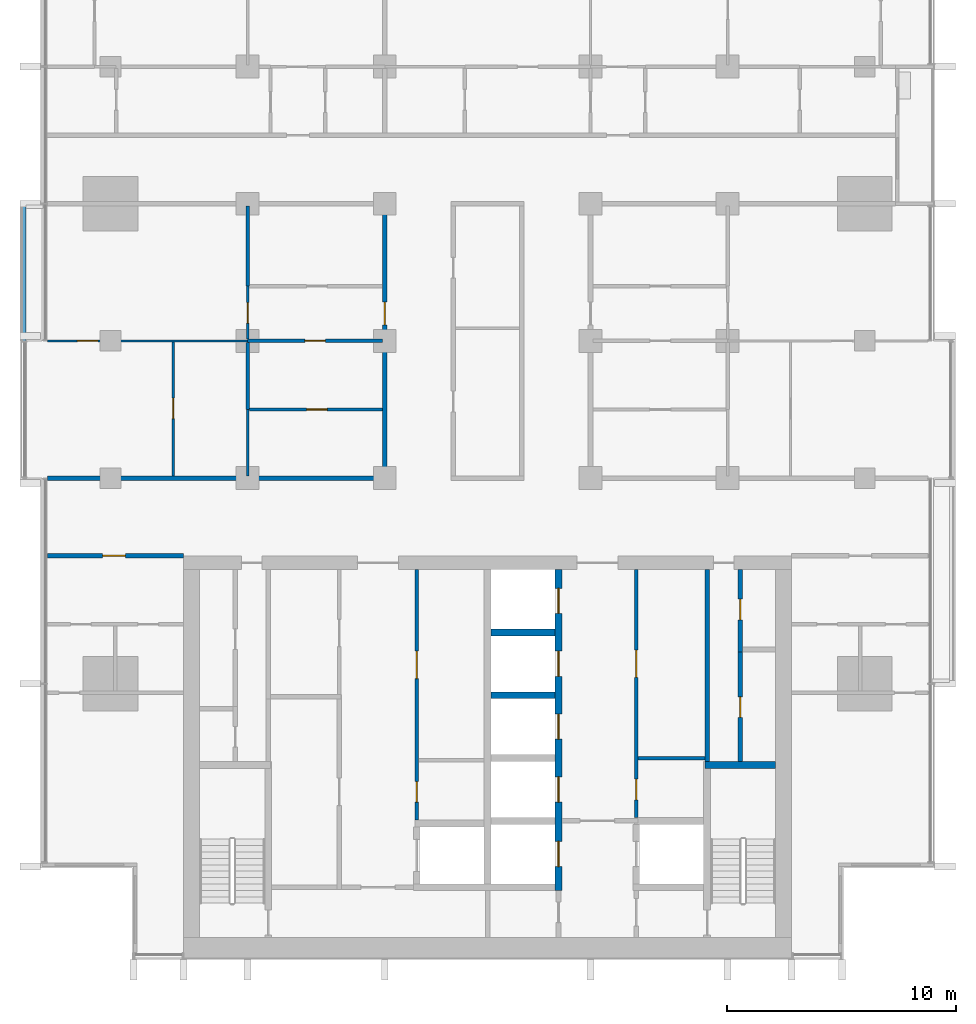
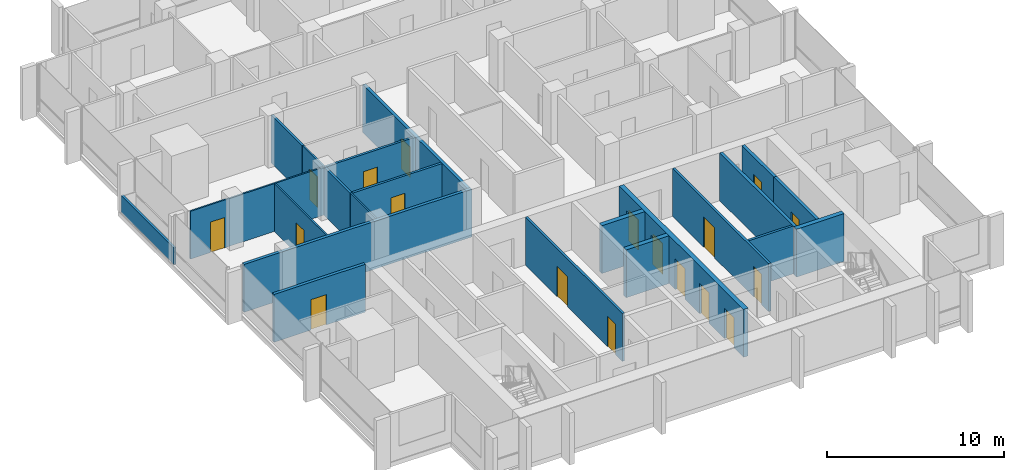
# One storey, part 8 of 17: 22 walls, 18 doors, 18 openings.
"""IFC4 building model written with IfcOpenShell, lengths in metres."""

from ifc_helpers import new_model, si_unit, direction, frame, frame_2d, origin, place, context, subcontext, project, spatial, rectangle, extrude, material, layer, layer_set, type_object, element, fill, save


model = new_model("IFC4")

# Units and contexts
model_context = context("Model", 3, precision=1e-05, world=origin(), true_north=direction((0.0, 1.0)))
body_context = subcontext(model_context, "Body", "Model", "MODEL_VIEW")
ifc_project = project(units=[si_unit("LENGTHUNIT", "METRE"), si_unit("AREAUNIT", "SQUARE_METRE"), si_unit("VOLUMEUNIT", "CUBIC_METRE"), si_unit("PLANEANGLEUNIT", "RADIAN"), si_unit("MASSUNIT", "GRAM", prefix="KILO")], contexts=[model_context])

# Site, building, storey
site_placement = place(None, origin())
site = spatial("IfcSite", under=ifc_project, at=site_placement, CompositionType="ELEMENT")
building_placement = place(site_placement, origin())
building = spatial("IfcBuilding", under=site, at=building_placement, Name="Finial Court Residences", CompositionType="ELEMENT")
storey_placement = place(building_placement, frame((0.0, 0.0, 170.89990234375)))
storey = spatial("IfcBuildingStorey", under=building, at=storey_placement, Name="L42", CompositionType="ELEMENT", Elevation=170.89990234375)

# Wall
ifc_material_1 = material(Name="Fire-rated gypsum board partition")
ifc_layer_1 = layer(ifc_material_1, 0.14990234375)
ifc_layer_set_1 = layer_set([ifc_layer_1], Name="Core room partition 150 EI 60")
wall_type_1 = type_object("IfcWallType", Name="Core room partition 150 EI 60", PredefinedType="PARTITIONING", material=ifc_layer_set_1)
wall_1_placement = place(storey_placement, frame((6.574951171875, -16.75, 0.0), z_axis=(0.0, 0.0, 1.0), x_axis=(1.0, 0.0, 0.0)))
element("IfcWall", 1, at=wall_1_placement, inside=storey, type_object=wall_type_1, Name="Core partition L42-13", PredefinedType="PARTITIONING", context=body_context, shape_type="SweptSolid", body=[
    extrude(rectangle(XDim=2.925048828125, YDim=0.14990234375, at=frame_2d((1.46240234375, 0.0))), origin(), (0.0, 0.0, 1.0), 3.300048828125),
])

# Wall, openings, doors
wall_2_placement = place(storey_placement, frame((-3.10009765625, -8.5, 0.0), z_axis=(0.0, 0.0, 1.0), x_axis=(0.0, -1.0, 0.0)))
wall_2 = element("IfcWall", 2, at=wall_2_placement, inside=storey, type_object=wall_type_1, Name="Core partition L42-27", PredefinedType="PARTITIONING", context=body_context, shape_type="SweptSolid", body=[
    extrude(rectangle(XDim=10.969970703125, YDim=0.14990234375, at=frame_2d((5.48486328125, 0.0))), origin(), (0.0, 0.0, 1.0), 3.300048828125),
])
opening_1_placement = place(wall_2_placement, frame((9.280029296875, 0.0, 0.0)))
opening_1 = element("IfcOpeningElement", 3, at=opening_1_placement, cuts=wall_2, Name="Opening L42-C15", PredefinedType="OPENING", context=body_context, shape_type="SweptSolid", body=[
    extrude(rectangle(XDim=0.89990234375, YDim=2.10009765625, at=frame_2d((0.449951171875, 1.050048828125))), frame((0.0, 0.0849609375, 0.0), z_axis=(0.0, -1.0, 0.0), x_axis=(1.0, 0.0, 0.0)), (0.0, 0.0, 1.0), 0.169921875),
])
opening_2_placement = place(wall_2_placement, frame((3.570068359375, 0.0, 0.0)))
opening_2 = element("IfcOpeningElement", 4, at=opening_2_placement, cuts=wall_2, Name="Opening L42-C16", PredefinedType="OPENING", context=body_context, shape_type="SweptSolid", body=[
    extrude(rectangle(XDim=1.199951171875, YDim=2.10009765625, at=frame_2d((0.60009765625, 1.050048828125))), frame((0.0, 0.0849609375, 0.0), z_axis=(0.0, -1.0, 0.0), x_axis=(1.0, 0.0, 0.0)), (0.0, 0.0, 1.0), 0.169921875),
])
ifc_material_2 = material(Name="Steel fire door", Category="steel")
door_type_1 = type_object("IfcDoorType", Name="Core room door 1200 x 2100 EI 60", OperationType="NOTDEFINED", PredefinedType="DOOR", material=ifc_material_2)
door_1_placement = place(opening_2_placement, origin())
door_1 = element("IfcDoor", 5, at=door_1_placement, inside=storey, type_object=door_type_1, Name="Core room door L42-C16", OperationType="SINGLE_SWING_RIGHT", OverallHeight=2.10009765625, OverallWidth=1.199951171875, PredefinedType="DOOR", context=body_context, shape_type="SweptSolid", body=[
    extrude(rectangle(XDim=1.199951171875, YDim=2.10009765625, at=frame_2d((0.60009765625, 1.050048828125))), frame((0.0, 0.02490234375, 0.0), z_axis=(0.0, -1.0, 0.0), x_axis=(1.0, 0.0, 0.0)), (0.0, 0.0, 1.0), 0.050048828125),
])
fill(opening_2, door_1)
door_type_2 = type_object("IfcDoorType", Name="Core room door 900 x 2100 EI 60", OperationType="NOTDEFINED", PredefinedType="DOOR", material=ifc_material_2)
door_2_placement = place(opening_1_placement, origin())
door_2 = element("IfcDoor", 6, at=door_2_placement, inside=storey, type_object=door_type_2, Name="Core room door L42-C15", OperationType="SINGLE_SWING_RIGHT", OverallHeight=2.10009765625, OverallWidth=0.89990234375, PredefinedType="DOOR", context=body_context, shape_type="SweptSolid", body=[
    extrude(rectangle(XDim=0.89990234375, YDim=2.10009765625, at=frame_2d((0.449951171875, 1.050048828125))), frame((0.0, 0.02490234375, 0.0), z_axis=(0.0, -1.0, 0.0), x_axis=(1.0, 0.0, 0.0)), (0.0, 0.0, 1.0), 0.050048828125),
])
fill(opening_1, door_2)

wall_3_placement = place(storey_placement, frame((6.5, -8.5, 0.0), z_axis=(0.0, 0.0, 1.0), x_axis=(0.0, -1.0, 0.0)))
wall_3 = element("IfcWall", 7, at=wall_3_placement, inside=storey, type_object=wall_type_1, Name="Core partition L42-34", PredefinedType="PARTITIONING", context=body_context, shape_type="SweptSolid", body=[
    extrude(rectangle(XDim=10.85009765625, YDim=0.14990234375, at=frame_2d((5.425048828125, 0.0))), origin(), (0.0, 0.0, 1.0), 3.300048828125),
])
opening_3_placement = place(wall_3_placement, frame((9.175048828125, 0.0, 0.0)))
opening_3 = element("IfcOpeningElement", 8, at=opening_3_placement, cuts=wall_3, Name="Opening L42-C17", PredefinedType="OPENING", context=body_context, shape_type="SweptSolid", body=[
    extrude(rectangle(XDim=0.89990234375, YDim=2.10009765625, at=frame_2d((0.449951171875, 1.050048828125))), frame((0.0, 0.0849609375, 0.0), z_axis=(0.0, -1.0, 0.0), x_axis=(1.0, 0.0, 0.0)), (0.0, 0.0, 1.0), 0.169921875),
])
opening_4_placement = place(wall_3_placement, frame((3.52490234375, 0.0, 0.0)))
opening_4 = element("IfcOpeningElement", 9, at=opening_4_placement, cuts=wall_3, Name="Opening L42-C18", PredefinedType="OPENING", context=body_context, shape_type="SweptSolid", body=[
    extrude(rectangle(XDim=1.199951171875, YDim=2.10009765625, at=frame_2d((0.60009765625, 1.050048828125))), frame((0.0, 0.0849609375, 0.0), z_axis=(0.0, -1.0, 0.0), x_axis=(1.0, 0.0, 0.0)), (0.0, 0.0, 1.0), 0.169921875),
])
door_3_placement = place(opening_4_placement, origin())
door_3 = element("IfcDoor", 10, at=door_3_placement, inside=storey, type_object=door_type_1, Name="Core room door L42-C18", OperationType="SINGLE_SWING_RIGHT", OverallHeight=2.10009765625, OverallWidth=1.199951171875, PredefinedType="DOOR", context=body_context, shape_type="SweptSolid", body=[
    extrude(rectangle(XDim=1.199951171875, YDim=2.10009765625, at=frame_2d((0.60009765625, 1.050048828125))), frame((0.0, 0.02490234375, 0.0), z_axis=(0.0, -1.0, 0.0), x_axis=(1.0, 0.0, 0.0)), (0.0, 0.0, 1.0), 0.050048828125),
])
fill(opening_4, door_3)
door_4_placement = place(opening_3_placement, origin())
door_4 = element("IfcDoor", 11, at=door_4_placement, inside=storey, type_object=door_type_2, Name="Core room door L42-C17", OperationType="SINGLE_SWING_RIGHT", OverallHeight=2.10009765625, OverallWidth=0.89990234375, PredefinedType="DOOR", context=body_context, shape_type="SweptSolid", body=[
    extrude(rectangle(XDim=0.89990234375, YDim=2.10009765625, at=frame_2d((0.449951171875, 1.050048828125))), frame((0.0, 0.02490234375, 0.0), z_axis=(0.0, -1.0, 0.0), x_axis=(1.0, 0.0, 0.0)), (0.0, 0.0, 1.0), 0.050048828125),
])
fill(opening_3, door_4)

# Wall, opening, door
ifc_material_3 = material(Name="Gypsum board")
ifc_layer_2 = layer(ifc_material_3, 0.02490234375)
ifc_material_4 = material(Name="Acoustic mineral wool in double frame")
ifc_layer_3 = layer(ifc_material_4, 0.14990234375)
ifc_layer_4 = layer(ifc_material_3, 0.02490234375)
ifc_layer_set_2 = layer_set([ifc_layer_2, ifc_layer_3, ifc_layer_4], Name="Corridor wall 200, 1 hour")
wall_type_2 = type_object("IfcWallType", Name="Corridor wall 200, 1 hour", PredefinedType="PARTITIONING", material=ifc_layer_set_2)
wall_4_placement = place(storey_placement, frame((-19.262451171875, -7.89990234375, 0.0), z_axis=(0.0, 0.0, 1.0), x_axis=(1.0, 0.0, 0.0)))
wall_4 = element("IfcWall", 12, at=wall_4_placement, inside=storey, type_object=wall_type_2, Name="Partition L42-004", PredefinedType="PARTITIONING", context=body_context, shape_type="SweptSolid", body=[
    extrude(rectangle(XDim=5.96240234375, YDim=0.199951171875, at=frame_2d((2.981201171875, 0.0))), origin(), (0.0, 0.0, 1.0), 3.300048828125),
])
opening_5_placement = place(wall_4_placement, frame((2.412109375, 0.0, 0.0)))
opening_5 = element("IfcOpeningElement", 13, at=opening_5_placement, cuts=wall_4, Name="Opening L42-D007", PredefinedType="OPENING", context=body_context, shape_type="SweptSolid", body=[
    extrude(rectangle(XDim=1.0, YDim=2.10009765625, at=frame_2d((0.5, 1.050048828125))), frame((0.0, 0.10986328125, 0.0), z_axis=(0.0, -1.0, 0.0), x_axis=(1.0, 0.0, 0.0)), (0.0, 0.0, 1.0), 0.219970703125),
])
ifc_material_5 = material(Name="Timber door leaf in hollow metal frame", Category="wood")
door_type_3 = type_object("IfcDoorType", Name="Fire door set 1000 x 2100, 30 minutes", OperationType="SINGLE_SWING_LEFT", PredefinedType="DOOR", material=ifc_material_5)
door_5_placement = place(opening_5_placement, origin())
door_5 = element("IfcDoor", 14, at=door_5_placement, inside=storey, type_object=door_type_3, Name="Door L42-D007", OperationType="SINGLE_SWING_RIGHT", OverallHeight=2.10009765625, OverallWidth=1.0, PredefinedType="DOOR", context=body_context, shape_type="SweptSolid", body=[
    extrude(rectangle(XDim=1.0, YDim=2.10009765625, at=frame_2d((0.5, 1.050048828125))), frame((0.0, 0.02490234375, 0.0), z_axis=(0.0, -1.0, 0.0), x_axis=(1.0, 0.0, 0.0)), (0.0, 0.0, 1.0), 0.050048828125),
])
fill(opening_5, door_5)

# Wall
wall_5_placement = place(storey_placement, frame((-19.262451171875, -4.5, 0.0), z_axis=(0.0, 0.0, 1.0), x_axis=(1.0, 0.0, 0.0)))
element("IfcWall", 15, at=wall_5_placement, inside=storey, type_object=wall_type_2, Name="Partition L42-006", PredefinedType="PARTITIONING", context=body_context, shape_type="SweptSolid", body=[
    extrude(rectangle(XDim=14.862548828125, YDim=0.199951171875, at=frame_2d((7.43115234375, 0.0))), origin(), (0.0, 0.0, 1.0), 3.300048828125),
])

# Wall, opening, door
wall_6_placement = place(storey_placement, frame((-4.5, -4.39990234375, 0.0), z_axis=(0.0, 0.0, 1.0), x_axis=(0.0, 1.0, 0.0)))
wall_6 = element("IfcWall", 16, at=wall_6_placement, inside=storey, type_object=wall_type_2, Name="Partition L42-047", PredefinedType="PARTITIONING", context=body_context, shape_type="SweptSolid", body=[
    extrude(rectangle(XDim=11.7998046875, YDim=0.199951171875, at=frame_2d((5.89990234375, 0.0))), origin(), (0.0, 0.0, 1.0), 3.300048828125),
])
opening_6_placement = place(wall_6_placement, frame((6.60009765625, 0.0, 0.0)))
opening_6 = element("IfcOpeningElement", 17, at=opening_6_placement, cuts=wall_6, Name="Opening L42-D032", PredefinedType="OPENING", context=body_context, shape_type="SweptSolid", body=[
    extrude(rectangle(XDim=1.0, YDim=2.10009765625, at=frame_2d((0.5, 1.050048828125))), frame((0.0, 0.10986328125, 0.0), z_axis=(0.0, -1.0, 0.0), x_axis=(1.0, 0.0, 0.0)), (0.0, 0.0, 1.0), 0.219970703125),
])
door_6_placement = place(opening_6_placement, origin())
door_6 = element("IfcDoor", 18, at=door_6_placement, inside=storey, type_object=door_type_3, Name="Door L42-D032", OperationType="SINGLE_SWING_LEFT", OverallHeight=2.10009765625, OverallWidth=1.0, PredefinedType="DOOR", context=body_context, shape_type="SweptSolid", body=[
    extrude(rectangle(XDim=1.0, YDim=2.10009765625, at=frame_2d((0.5, 1.050048828125))), frame((0.0, 0.02490234375, 0.0), z_axis=(0.0, -1.0, 0.0), x_axis=(1.0, 0.0, 0.0)), (0.0, 0.0, 1.0), 0.050048828125),
])
fill(opening_6, door_6)

ifc_layer_5 = layer(ifc_material_3, 0.012451171875)
ifc_material_6 = material(Name="Mineral wool in light-gauge frame")
ifc_layer_6 = layer(ifc_material_6, 0.074951171875)
ifc_layer_7 = layer(ifc_material_3, 0.012451171875)
ifc_layer_set_3 = layer_set([ifc_layer_5, ifc_layer_6, ifc_layer_7], Name="Gypsum board partition 100")
wall_type_3 = type_object("IfcWallType", Name="Gypsum board partition 100", PredefinedType="PARTITIONING", material=ifc_layer_set_3)
wall_7_placement = place(storey_placement, frame((-19.262451171875, 1.5, 0.0), z_axis=(0.0, 0.0, 1.0), x_axis=(1.0, 0.0, 0.0)))
wall_7 = element("IfcWall", 19, at=wall_7_placement, inside=storey, type_object=wall_type_3, Name="Partition L42-011", PredefinedType="PARTITIONING", context=body_context, shape_type="SweptSolid", body=[
    extrude(rectangle(XDim=8.762451171875, YDim=0.10009765625, at=frame_2d((4.38134765625, 0.0))), origin(), (0.0, 0.0, 1.0), 3.300048828125),
])
opening_7_placement = place(wall_7_placement, frame((1.31201171875, 0.0, 0.0)))
opening_7 = element("IfcOpeningElement", 20, at=opening_7_placement, cuts=wall_7, Name="Opening L42-D011", PredefinedType="OPENING", context=body_context, shape_type="SweptSolid", body=[
    extrude(rectangle(XDim=0.89990234375, YDim=2.10009765625, at=frame_2d((0.449951171875, 1.050048828125))), frame((0.0, 0.06005859375, 0.0), z_axis=(0.0, -1.0, 0.0), x_axis=(1.0, 0.0, 0.0)), (0.0, 0.0, 1.0), 0.1201171875),
])
ifc_material_7 = material(Name="Timber door leaf in timber frame", Category="wood")
door_type_4 = type_object("IfcDoorType", Name="Door set 900 x 2100", OperationType="SINGLE_SWING_LEFT", PredefinedType="DOOR", material=ifc_material_7)
door_7_placement = place(opening_7_placement, origin())
door_7 = element("IfcDoor", 21, at=door_7_placement, inside=storey, type_object=door_type_4, Name="Door L42-D011", OperationType="SINGLE_SWING_LEFT", OverallHeight=2.10009765625, OverallWidth=0.89990234375, PredefinedType="DOOR", context=body_context, shape_type="SweptSolid", body=[
    extrude(rectangle(XDim=0.89990234375, YDim=2.10009765625, at=frame_2d((0.449951171875, 1.050048828125))), frame((0.0, 0.02490234375, 0.0), z_axis=(0.0, -1.0, 0.0), x_axis=(1.0, 0.0, 0.0)), (0.0, 0.0, 1.0), 0.050048828125),
])
fill(opening_7, door_7)

wall_8_placement = place(storey_placement, frame((-13.75, -4.39990234375, 0.0), z_axis=(0.0, 0.0, 1.0), x_axis=(0.0, 1.0, 0.0)))
wall_8 = element("IfcWall", 22, at=wall_8_placement, inside=storey, type_object=wall_type_3, Name="Partition L42-039", PredefinedType="PARTITIONING", context=body_context, shape_type="SweptSolid", body=[
    extrude(rectangle(XDim=5.849853515625, YDim=0.10009765625, at=frame_2d((2.9248046875, 0.0))), origin(), (0.0, 0.0, 1.0), 3.300048828125),
])
opening_8_placement = place(wall_8_placement, frame((2.5, 0.0, 0.0)))
opening_8 = element("IfcOpeningElement", 23, at=opening_8_placement, cuts=wall_8, Name="Opening L42-D027", PredefinedType="OPENING", context=body_context, shape_type="SweptSolid", body=[
    extrude(rectangle(XDim=0.89990234375, YDim=2.10009765625, at=frame_2d((0.449951171875, 1.050048828125))), frame((0.0, 0.06005859375, 0.0), z_axis=(0.0, -1.0, 0.0), x_axis=(1.0, 0.0, 0.0)), (0.0, 0.0, 1.0), 0.1201171875),
])
door_8_placement = place(opening_8_placement, origin())
door_8 = element("IfcDoor", 24, at=door_8_placement, inside=storey, type_object=door_type_4, Name="Door L42-D027", OperationType="SINGLE_SWING_LEFT", OverallHeight=2.10009765625, OverallWidth=0.89990234375, PredefinedType="DOOR", context=body_context, shape_type="SweptSolid", body=[
    extrude(rectangle(XDim=0.89990234375, YDim=2.10009765625, at=frame_2d((0.449951171875, 1.050048828125))), frame((0.0, 0.02490234375, 0.0), z_axis=(0.0, -1.0, 0.0), x_axis=(1.0, 0.0, 0.0)), (0.0, 0.0, 1.0), 0.050048828125),
])
fill(opening_8, door_8)

# Wall
wall_9_placement = place(storey_placement, frame((-10.5, -4.39990234375, 0.0), z_axis=(0.0, 0.0, 1.0), x_axis=(0.0, 1.0, 0.0)))
element("IfcWall", 25, at=wall_9_placement, inside=storey, type_object=wall_type_3, Name="Partition L42-040", PredefinedType="PARTITIONING", context=body_context, shape_type="SweptSolid", body=[
    extrude(rectangle(XDim=2.89990234375, YDim=0.10009765625, at=frame_2d((1.449951171875, 0.0))), origin(), (0.0, 0.0, 1.0), 3.300048828125),
])

# Wall, opening, door
wall_10_placement = place(storey_placement, frame((-10.5, 1.574951171875, 0.0), z_axis=(0.0, 0.0, 1.0), x_axis=(0.0, 1.0, 0.0)))
wall_10 = element("IfcWall", 26, at=wall_10_placement, inside=storey, type_object=wall_type_3, Name="Partition L42-041", PredefinedType="PARTITIONING", context=body_context, shape_type="SweptSolid", body=[
    extrude(rectangle(XDim=2.324951171875, YDim=0.10009765625, at=frame_2d((1.16259765625, 0.0))), origin(), (0.0, 0.0, 1.0), 3.300048828125),
])
opening_9_placement = place(wall_10_placement, frame((0.699951171875, 0.0, 0.0)))
opening_9 = element("IfcOpeningElement", 27, at=opening_9_placement, cuts=wall_10, Name="Opening L42-D028", PredefinedType="OPENING", context=body_context, shape_type="SweptSolid", body=[
    extrude(rectangle(XDim=0.89990234375, YDim=2.10009765625, at=frame_2d((0.449951171875, 1.050048828125))), frame((0.0, 0.06005859375, 0.0), z_axis=(0.0, -1.0, 0.0), x_axis=(1.0, 0.0, 0.0)), (0.0, 0.0, 1.0), 0.1201171875),
])
door_9_placement = place(opening_9_placement, origin())
door_9 = element("IfcDoor", 28, at=door_9_placement, inside=storey, type_object=door_type_4, Name="Door L42-D028", OperationType="SINGLE_SWING_LEFT", OverallHeight=2.10009765625, OverallWidth=0.89990234375, PredefinedType="DOOR", context=body_context, shape_type="SweptSolid", body=[
    extrude(rectangle(XDim=0.89990234375, YDim=2.10009765625, at=frame_2d((0.449951171875, 1.050048828125))), frame((0.0, 0.02490234375, 0.0), z_axis=(0.0, -1.0, 0.0), x_axis=(1.0, 0.0, 0.0)), (0.0, 0.0, 1.0), 0.050048828125),
])
fill(opening_9, door_9)

ifc_material_8 = material(Name="Moisture-resistant gypsum board")
ifc_layer_8 = layer(ifc_material_8, 0.012451171875)
ifc_layer_9 = layer(ifc_material_6, 0.125)
ifc_layer_10 = layer(ifc_material_8, 0.012451171875)
ifc_layer_set_4 = layer_set([ifc_layer_8, ifc_layer_9, ifc_layer_10], Name="Gypsum board wet-area partition 150")
wall_type_4 = type_object("IfcWallType", Name="Gypsum board wet-area partition 150", PredefinedType="PARTITIONING", material=ifc_layer_set_4)
wall_11_placement = place(storey_placement, frame((-10.425048828125, -1.5, 0.0), z_axis=(0.0, 0.0, 1.0), x_axis=(1.0, 0.0, 0.0)))
wall_11 = element("IfcWall", 29, at=wall_11_placement, inside=storey, type_object=wall_type_4, Name="Partition L42-009", PredefinedType="PARTITIONING", context=body_context, shape_type="SweptSolid", body=[
    extrude(rectangle(XDim=5.824951171875, YDim=0.14990234375, at=frame_2d((2.91259765625, 0.0))), origin(), (0.0, 0.0, 1.0), 3.300048828125),
])
opening_10_placement = place(wall_11_placement, frame((2.5, 0.0, 0.0)))
opening_10 = element("IfcOpeningElement", 30, at=opening_10_placement, cuts=wall_11, Name="Opening L42-D009", PredefinedType="OPENING", context=body_context, shape_type="SweptSolid", body=[
    extrude(rectangle(XDim=0.89990234375, YDim=2.10009765625, at=frame_2d((0.449951171875, 1.050048828125))), frame((0.0, 0.0849609375, 0.0), z_axis=(0.0, -1.0, 0.0), x_axis=(1.0, 0.0, 0.0)), (0.0, 0.0, 1.0), 0.169921875),
])
door_10_placement = place(opening_10_placement, origin())
door_10 = element("IfcDoor", 31, at=door_10_placement, inside=storey, type_object=door_type_4, Name="Door L42-D009", OperationType="SINGLE_SWING_LEFT", OverallHeight=2.10009765625, OverallWidth=0.89990234375, PredefinedType="DOOR", context=body_context, shape_type="SweptSolid", body=[
    extrude(rectangle(XDim=0.89990234375, YDim=2.10009765625, at=frame_2d((0.449951171875, 1.050048828125))), frame((0.0, 0.02490234375, 0.0), z_axis=(0.0, -1.0, 0.0), x_axis=(1.0, 0.0, 0.0)), (0.0, 0.0, 1.0), 0.050048828125),
])
fill(opening_10, door_10)

wall_12_placement = place(storey_placement, frame((-10.5, 1.5, 0.0), z_axis=(0.0, 0.0, 1.0), x_axis=(1.0, 0.0, 0.0)))
wall_12 = element("IfcWall", 32, at=wall_12_placement, inside=storey, type_object=wall_type_4, Name="Partition L42-013", PredefinedType="PARTITIONING", context=body_context, shape_type="SweptSolid", body=[
    extrude(rectangle(XDim=5.89990234375, YDim=0.14990234375, at=frame_2d((2.949951171875, 0.0))), origin(), (0.0, 0.0, 1.0), 3.300048828125),
])
opening_11_placement = place(wall_12_placement, frame((2.5, 0.0, 0.0)))
opening_11 = element("IfcOpeningElement", 33, at=opening_11_placement, cuts=wall_12, Name="Opening L42-D013", PredefinedType="OPENING", context=body_context, shape_type="SweptSolid", body=[
    extrude(rectangle(XDim=0.89990234375, YDim=2.10009765625, at=frame_2d((0.449951171875, 1.050048828125))), frame((0.0, 0.0849609375, 0.0), z_axis=(0.0, -1.0, 0.0), x_axis=(1.0, 0.0, 0.0)), (0.0, 0.0, 1.0), 0.169921875),
])
door_11_placement = place(opening_11_placement, origin())
door_11 = element("IfcDoor", 34, at=door_11_placement, inside=storey, type_object=door_type_4, Name="Door L42-D013", OperationType="SINGLE_SWING_LEFT", OverallHeight=2.10009765625, OverallWidth=0.89990234375, PredefinedType="DOOR", context=body_context, shape_type="SweptSolid", body=[
    extrude(rectangle(XDim=0.89990234375, YDim=2.10009765625, at=frame_2d((0.449951171875, 1.050048828125))), frame((0.0, 0.02490234375, 0.0), z_axis=(0.0, -1.0, 0.0), x_axis=(1.0, 0.0, 0.0)), (0.0, 0.0, 1.0), 0.050048828125),
])
fill(opening_11, door_11)

# Walls
wall_13_placement = place(storey_placement, frame((-10.5, -1.5, 0.0), z_axis=(0.0, 0.0, 1.0), x_axis=(0.0, 1.0, 0.0)))
element("IfcWall", 35, at=wall_13_placement, inside=storey, type_object=wall_type_4, Name="Partition L42-043", PredefinedType="PARTITIONING", context=body_context, shape_type="SweptSolid", body=[
    extrude(rectangle(XDim=2.925048828125, YDim=0.14990234375, at=frame_2d((1.46240234375, 0.0))), origin(), (0.0, 0.0, 1.0), 3.300048828125),
])
wall_14_placement = place(storey_placement, frame((-10.5, 3.89990234375, 0.0), z_axis=(0.0, 0.0, 1.0), x_axis=(0.0, 1.0, 0.0)))
element("IfcWall", 36, at=wall_14_placement, inside=storey, type_object=wall_type_4, Name="Partition L42-044", PredefinedType="PARTITIONING", context=body_context, shape_type="SweptSolid", body=[
    extrude(rectangle(XDim=3.5, YDim=0.14990234375, at=frame_2d((1.75, 0.0))), origin(), (0.0, 0.0, 1.0), 3.300048828125),
])
ifc_material_9 = material(Name="Concrete C35/45", Category="concrete")
ifc_layer_11 = layer(ifc_material_9, 0.14990234375)
ifc_layer_set_5 = layer_set([ifc_layer_11], Name="Ledge parapet, Concrete C35/45 150")
wall_type_5 = type_object("IfcWallType", Name="Ledge parapet, Concrete C35/45 150", PredefinedType="PARAPET", material=ifc_layer_set_5)
wall_15_placement = place(storey_placement, frame((-20.27490234375, 1.447509765625, 0.0), z_axis=(0.0, 0.0, 1.0), x_axis=(0.0, 1.0, 0.0)))
element("IfcWall", 37, at=wall_15_placement, inside=storey, type_object=wall_type_5, Name="E-L42-LED1-P1", PredefinedType="PARAPET", context=body_context, shape_type="SweptSolid", body=[
    extrude(rectangle(XDim=6.00244140625, YDim=0.14990234375, at=frame_2d((3.001220703125, 0.0))), origin(), (0.0, 0.0, 1.0), 1.150146484375),
])
ifc_material_10 = material(Name="Concrete C70/85", Category="concrete")
ifc_layer_12 = layer(ifc_material_10, 0.300048828125)
ifc_layer_set_6 = layer_set([ifc_layer_12], Name="Lift shaft and stair wall 300 Concrete C70/85")
wall_type_6 = type_object("IfcWallType", Name="Lift shaft and stair wall 300 Concrete C70/85", PredefinedType="SHEAR", material=ifc_layer_set_6)
wall_16_placement = place(storey_placement, frame((9.5, -17.050048828125, 0.0), z_axis=(0.0, 0.0, 1.0), x_axis=(1.0, 0.0, 0.0)))
element("IfcWall", 38, at=wall_16_placement, inside=storey, type_object=wall_type_6, Name="Core wall L42-10", PredefinedType="SHEAR", context=body_context, shape_type="SweptSolid", body=[
    extrude(rectangle(XDim=3.10009765625, YDim=0.300048828125, at=frame_2d((1.550048828125, 0.0))), origin(), (0.0, 0.0, 1.0), 3.300048828125),
])
for number, where, z_axis, x_axis, name in (
    (39, (0.14990234375, -14.0, 0.0), (0.0, 0.0, 1.0), (1.0, 0.0, 0.0), "Core wall L42-16"),
    (40, (0.14990234375, -11.25, 0.0), (0.0, 0.0, 1.0), (1.0, 0.0, 0.0), "Core wall L42-18"),
):
    element("IfcWall", number, at=place(storey_placement, frame(where, z_axis=z_axis, x_axis=x_axis)), inside=storey, type_object=wall_type_6, Name=name, PredefinedType="SHEAR", context=body_context, shape_type="SweptSolid", body=[
        extrude(rectangle(XDim=2.800048828125, YDim=0.300048828125, at=frame_2d((1.39990234375, 0.0))), origin(), (0.0, 0.0, 1.0), 3.300048828125),
    ])

# Wall, openings, doors
wall_17_placement = place(storey_placement, frame((3.10009765625, -22.550048828125, 0.0), z_axis=(0.0, 0.0, 1.0), x_axis=(0.0, 1.0, 0.0)))
wall_17 = element("IfcWall", 41, at=wall_17_placement, inside=storey, type_object=wall_type_6, Name="Core wall L42-31", PredefinedType="SHEAR", context=body_context, shape_type="SweptSolid", body=[
    extrude(rectangle(XDim=14.050048828125, YDim=0.300048828125, at=frame_2d((7.02490234375, 0.0))), origin(), (0.0, 0.0, 1.0), 3.300048828125),
])
opening_12_placement = place(wall_17_placement, frame((1.050048828125, 0.0, 0.0)))
opening_12 = element("IfcOpeningElement", 42, at=opening_12_placement, cuts=wall_17, Name="Opening L42-LD01", PredefinedType="OPENING", context=body_context, shape_type="SweptSolid", body=[
    extrude(rectangle(XDim=1.10009765625, YDim=2.10009765625, at=frame_2d((0.550048828125, 1.050048828125))), frame((0.0, 0.159912109375, 0.0), z_axis=(0.0, -1.0, 0.0), x_axis=(1.0, 0.0, 0.0)), (0.0, 0.0, 1.0), 0.320068359375),
])
opening_13_placement = place(wall_17_placement, frame((3.875, 0.0, 0.0)))
opening_13 = element("IfcOpeningElement", 43, at=opening_13_placement, cuts=wall_17, Name="Opening L42-LD03", PredefinedType="OPENING", context=body_context, shape_type="SweptSolid", body=[
    extrude(rectangle(XDim=1.10009765625, YDim=2.10009765625, at=frame_2d((0.550048828125, 1.050048828125))), frame((0.0, 0.159912109375, 0.0), z_axis=(0.0, -1.0, 0.0), x_axis=(1.0, 0.0, 0.0)), (0.0, 0.0, 1.0), 0.320068359375),
])
opening_14_placement = place(wall_17_placement, frame((6.625, 0.0, 0.0)))
opening_14 = element("IfcOpeningElement", 44, at=opening_14_placement, cuts=wall_17, Name="Opening L42-LD04", PredefinedType="OPENING", context=body_context, shape_type="SweptSolid", body=[
    extrude(rectangle(XDim=1.10009765625, YDim=2.10009765625, at=frame_2d((0.550048828125, 1.050048828125))), frame((0.0, 0.159912109375, 0.0), z_axis=(0.0, -1.0, 0.0), x_axis=(1.0, 0.0, 0.0)), (0.0, 0.0, 1.0), 0.320068359375),
])
opening_15_placement = place(wall_17_placement, frame((9.375, 0.0, 0.0)))
opening_15 = element("IfcOpeningElement", 45, at=opening_15_placement, cuts=wall_17, Name="Opening L42-LD05", PredefinedType="OPENING", context=body_context, shape_type="SweptSolid", body=[
    extrude(rectangle(XDim=1.10009765625, YDim=2.10009765625, at=frame_2d((0.550048828125, 1.050048828125))), frame((0.0, 0.159912109375, 0.0), z_axis=(0.0, -1.0, 0.0), x_axis=(1.0, 0.0, 0.0)), (0.0, 0.0, 1.0), 0.320068359375),
])
opening_16_placement = place(wall_17_placement, frame((12.125, 0.0, 0.0)))
opening_16 = element("IfcOpeningElement", 46, at=opening_16_placement, cuts=wall_17, Name="Opening L42-LD06", PredefinedType="OPENING", context=body_context, shape_type="SweptSolid", body=[
    extrude(rectangle(XDim=1.10009765625, YDim=2.10009765625, at=frame_2d((0.550048828125, 1.050048828125))), frame((0.0, 0.159912109375, 0.0), z_axis=(0.0, -1.0, 0.0), x_axis=(1.0, 0.0, 0.0)), (0.0, 0.0, 1.0), 0.320068359375),
])
ifc_material_11 = material(Name="Stainless steel lift door", Category="steel")
door_type_5 = type_object("IfcDoorType", Name="Lift landing door 1100 x 2100 EI 90", OperationType="DOUBLE_DOOR_SLIDING", PredefinedType="DOOR", material=ifc_material_11)
door_12_placement = place(opening_12_placement, origin())
door_12 = element("IfcDoor", 47, at=door_12_placement, inside=storey, type_object=door_type_5, Name="Lift landing door FF1 L42", OperationType="DOUBLE_DOOR_SLIDING", OverallHeight=2.10009765625, OverallWidth=1.10009765625, PredefinedType="DOOR", context=body_context, shape_type="SweptSolid", body=[
    extrude(rectangle(XDim=1.10009765625, YDim=2.10009765625, at=frame_2d((0.550048828125, 1.050048828125))), frame((0.0, 0.02490234375, 0.0), z_axis=(0.0, -1.0, 0.0), x_axis=(1.0, 0.0, 0.0)), (0.0, 0.0, 1.0), 0.050048828125),
])
fill(opening_12, door_12)
door_13_placement = place(opening_13_placement, origin())
door_13 = element("IfcDoor", 48, at=door_13_placement, inside=storey, type_object=door_type_5, Name="Lift landing door HR1 L42", OperationType="DOUBLE_DOOR_SLIDING", OverallHeight=2.10009765625, OverallWidth=1.10009765625, PredefinedType="DOOR", context=body_context, shape_type="SweptSolid", body=[
    extrude(rectangle(XDim=1.10009765625, YDim=2.10009765625, at=frame_2d((0.550048828125, 1.050048828125))), frame((0.0, 0.02490234375, 0.0), z_axis=(0.0, -1.0, 0.0), x_axis=(1.0, 0.0, 0.0)), (0.0, 0.0, 1.0), 0.050048828125),
])
fill(opening_13, door_13)
door_14_placement = place(opening_14_placement, origin())
door_14 = element("IfcDoor", 49, at=door_14_placement, inside=storey, type_object=door_type_5, Name="Lift landing door HR2 L42", OperationType="DOUBLE_DOOR_SLIDING", OverallHeight=2.10009765625, OverallWidth=1.10009765625, PredefinedType="DOOR", context=body_context, shape_type="SweptSolid", body=[
    extrude(rectangle(XDim=1.10009765625, YDim=2.10009765625, at=frame_2d((0.550048828125, 1.050048828125))), frame((0.0, 0.02490234375, 0.0), z_axis=(0.0, -1.0, 0.0), x_axis=(1.0, 0.0, 0.0)), (0.0, 0.0, 1.0), 0.050048828125),
])
fill(opening_14, door_14)
door_15_placement = place(opening_15_placement, origin())
door_15 = element("IfcDoor", 50, at=door_15_placement, inside=storey, type_object=door_type_5, Name="Lift landing door HR3 L42", OperationType="DOUBLE_DOOR_SLIDING", OverallHeight=2.10009765625, OverallWidth=1.10009765625, PredefinedType="DOOR", context=body_context, shape_type="SweptSolid", body=[
    extrude(rectangle(XDim=1.10009765625, YDim=2.10009765625, at=frame_2d((0.550048828125, 1.050048828125))), frame((0.0, 0.02490234375, 0.0), z_axis=(0.0, -1.0, 0.0), x_axis=(1.0, 0.0, 0.0)), (0.0, 0.0, 1.0), 0.050048828125),
])
fill(opening_15, door_15)
door_16_placement = place(opening_16_placement, origin())
door_16 = element("IfcDoor", 51, at=door_16_placement, inside=storey, type_object=door_type_5, Name="Lift landing door HR4 L42", OperationType="DOUBLE_DOOR_SLIDING", OverallHeight=2.10009765625, OverallWidth=1.10009765625, PredefinedType="DOOR", context=body_context, shape_type="SweptSolid", body=[
    extrude(rectangle(XDim=1.10009765625, YDim=2.10009765625, at=frame_2d((0.550048828125, 1.050048828125))), frame((0.0, 0.02490234375, 0.0), z_axis=(0.0, -1.0, 0.0), x_axis=(1.0, 0.0, 0.0)), (0.0, 0.0, 1.0), 0.050048828125),
])
fill(opening_16, door_16)

# Wall, opening, door
ifc_layer_13 = layer(ifc_material_1, 0.199951171875)
ifc_layer_set_7 = layer_set([ifc_layer_13], Name="Riser room wall 200 EI 120")
wall_type_7 = type_object("IfcWallType", Name="Riser room wall 200 EI 120", PredefinedType="PARTITIONING", material=ifc_layer_set_7)
wall_18_placement = place(storey_placement, frame((11.050048828125, -8.5, 0.0), z_axis=(0.0, 0.0, 1.0), x_axis=(0.0, -1.0, 0.0)))
wall_18 = element("IfcWall", 52, at=wall_18_placement, inside=storey, type_object=wall_type_7, Name="Core partition L42-38", PredefinedType="PARTITIONING", context=body_context, shape_type="SweptSolid", body=[
    extrude(rectangle(XDim=3.60009765625, YDim=0.199951171875, at=frame_2d((1.800048828125, 0.0))), origin(), (0.0, 0.0, 1.0), 3.300048828125),
])
opening_17_placement = place(wall_18_placement, frame((1.300048828125, 0.0, 0.0)))
opening_17 = element("IfcOpeningElement", 53, at=opening_17_placement, cuts=wall_18, Name="Opening L42-C08", PredefinedType="OPENING", context=body_context, shape_type="SweptSolid", body=[
    extrude(rectangle(XDim=0.89990234375, YDim=2.10009765625, at=frame_2d((0.449951171875, 1.050048828125))), frame((0.0, 0.10986328125, 0.0), z_axis=(0.0, -1.0, 0.0), x_axis=(1.0, 0.0, 0.0)), (0.0, 0.0, 1.0), 0.219970703125),
])
door_type_6 = type_object("IfcDoorType", Name="Riser room door 900 x 2100 EI 90", OperationType="NOTDEFINED", PredefinedType="DOOR", material=ifc_material_2)
door_17_placement = place(opening_17_placement, origin())
door_17 = element("IfcDoor", 54, at=door_17_placement, inside=storey, type_object=door_type_6, Name="Riser room door L42-C08", OperationType="SINGLE_SWING_RIGHT", OverallHeight=2.10009765625, OverallWidth=0.89990234375, PredefinedType="DOOR", context=body_context, shape_type="SweptSolid", body=[
    extrude(rectangle(XDim=0.89990234375, YDim=2.10009765625, at=frame_2d((0.449951171875, 1.050048828125))), frame((0.0, 0.02490234375, 0.0), z_axis=(0.0, -1.0, 0.0), x_axis=(1.0, 0.0, 0.0)), (0.0, 0.0, 1.0), 0.050048828125),
])
fill(opening_17, door_17)

# Wall
ifc_layer_14 = layer(ifc_material_1, 0.199951171875)
ifc_layer_set_8 = layer_set([ifc_layer_14], Name="Stair passage wall 200 EI 180")
wall_type_8 = type_object("IfcWallType", Name="Stair passage wall 200 EI 180", PredefinedType="PARTITIONING", material=ifc_layer_set_8)
wall_19_placement = place(storey_placement, frame((9.60009765625, -16.89990234375, 0.0), z_axis=(0.0, 0.0, 1.0), x_axis=(0.0, 1.0, 0.0)))
element("IfcWall", 55, at=wall_19_placement, inside=storey, type_object=wall_type_8, Name="Core partition L42-36", PredefinedType="PARTITIONING", context=body_context, shape_type="SweptSolid", body=[
    extrude(rectangle(XDim=8.39990234375, YDim=0.199951171875, at=frame_2d((4.199951171875, 0.0))), origin(), (0.0, 0.0, 1.0), 3.300048828125),
])

# Wall, opening, door
wall_20_placement = place(storey_placement, frame((11.050048828125, -11.89990234375, 0.0), z_axis=(0.0, 0.0, 1.0), x_axis=(0.0, -1.0, 0.0)))
wall_20 = element("IfcWall", 56, at=wall_20_placement, inside=storey, type_object=wall_type_8, Name="Core partition L42-37", PredefinedType="PARTITIONING", context=body_context, shape_type="SweptSolid", body=[
    extrude(rectangle(XDim=5.0, YDim=0.199951171875, at=frame_2d((2.5, 0.0))), origin(), (0.0, 0.0, 1.0), 3.300048828125),
])
opening_18_placement = place(wall_20_placement, frame((2.175048828125, 0.0, 0.0)))
opening_18 = element("IfcOpeningElement", 57, at=opening_18_placement, cuts=wall_20, Name="Opening L42-C13", PredefinedType="OPENING", context=body_context, shape_type="SweptSolid", body=[
    extrude(rectangle(XDim=0.89990234375, YDim=2.10009765625, at=frame_2d((0.449951171875, 1.050048828125))), frame((0.0, 0.10986328125, 0.0), z_axis=(0.0, -1.0, 0.0), x_axis=(1.0, 0.0, 0.0)), (0.0, 0.0, 1.0), 0.219970703125),
])
door_18_placement = place(opening_18_placement, origin())
door_18 = element("IfcDoor", 58, at=door_18_placement, inside=storey, type_object=door_type_2, Name="Core room door L42-C13", OperationType="SINGLE_SWING_RIGHT", OverallHeight=2.10009765625, OverallWidth=0.89990234375, PredefinedType="DOOR", context=body_context, shape_type="SweptSolid", body=[
    extrude(rectangle(XDim=0.89990234375, YDim=2.10009765625, at=frame_2d((0.449951171875, 1.050048828125))), frame((0.0, 0.02490234375, 0.0), z_axis=(0.0, -1.0, 0.0), x_axis=(1.0, 0.0, 0.0)), (0.0, 0.0, 1.0), 0.050048828125),
])
fill(opening_18, door_18)

save(model, "model.ifc")
